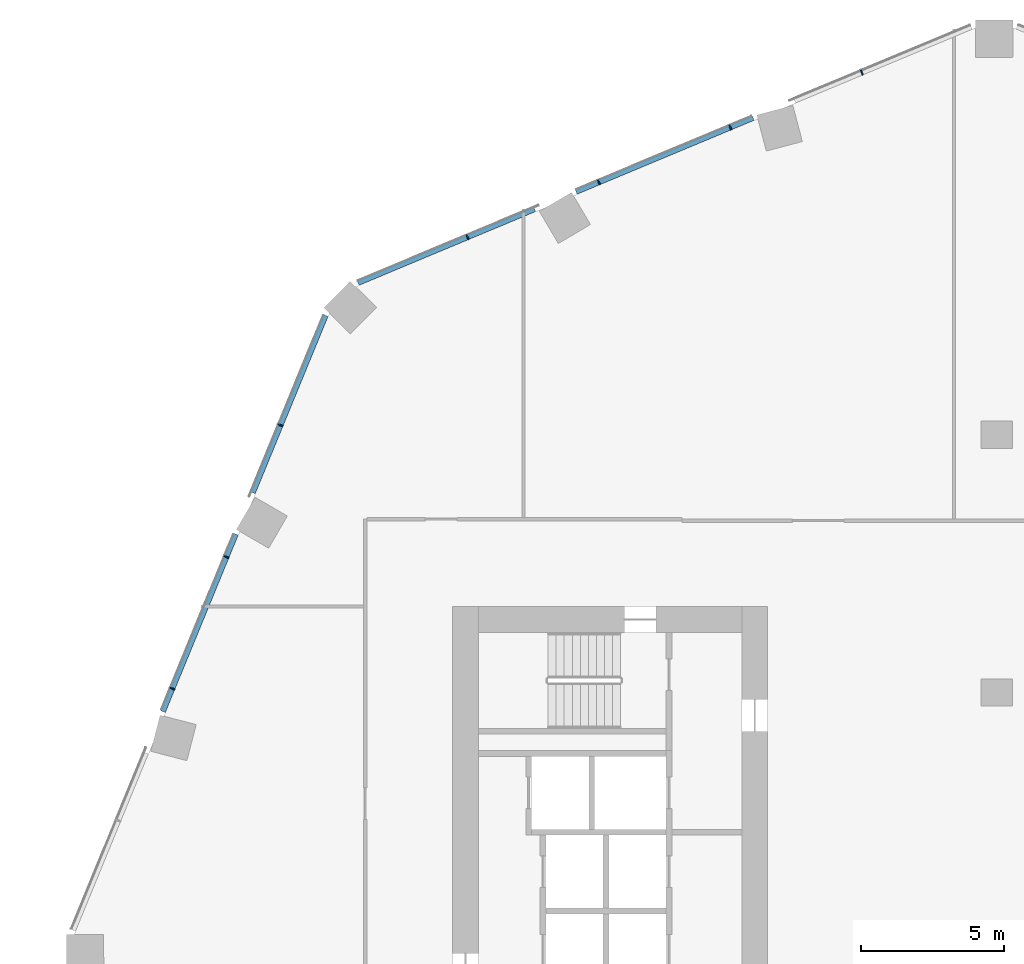
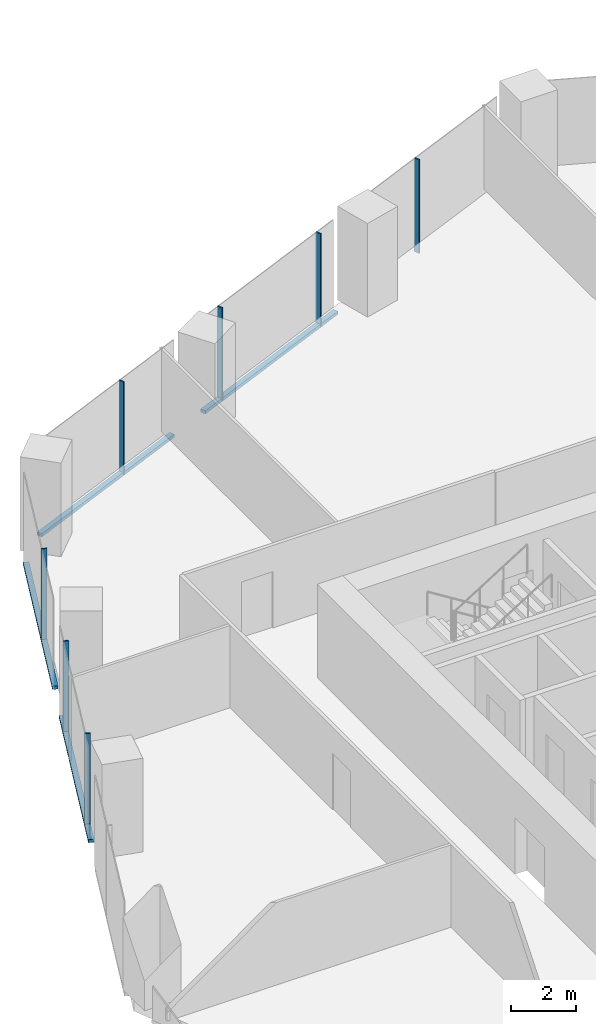
# One storey, part 12 of 34: 11 members, 2 elements without a shape of their own.
"""IFC4 building model written with IfcOpenShell, lengths in metres."""

from ifc_helpers import new_model, si_unit, direction, frame, origin, origin_2d, place, context, subcontext, project, spatial, rectangle, extrude, material, material_profile, profile_set, type_object, element, aggregate, save


model = new_model("IFC4")

# Units and contexts
model_context = context("Model", 3, precision=1e-05, world=origin(), true_north=direction((0.0, 1.0)))
body_context = subcontext(model_context, "Body", "Model", "MODEL_VIEW")
ifc_project = project(units=[si_unit("LENGTHUNIT", "METRE"), si_unit("AREAUNIT", "SQUARE_METRE"), si_unit("VOLUMEUNIT", "CUBIC_METRE"), si_unit("PLANEANGLEUNIT", "RADIAN"), si_unit("MASSUNIT", "GRAM", prefix="KILO")], contexts=[model_context])

# Site, building, storey
site_placement = place(None, origin())
site = spatial("IfcSite", under=ifc_project, at=site_placement, CompositionType="ELEMENT")
building_placement = place(site_placement, origin())
building = spatial("IfcBuilding", under=site, at=building_placement, Name="Orlundy Tower", CompositionType="ELEMENT")
storey_placement = place(building_placement, frame((0.0, 0.0, 112.699951171875)))
storey = spatial("IfcBuildingStorey", under=building, at=storey_placement, Name="L28", CompositionType="ELEMENT", Elevation=112.699951171875)

# Curtain wall, members
ifc_material_1 = material(Name="Aluminium bronze anodised", Category="aluminium")
curtain_wall_type = type_object("IfcCurtainWallType", Name="CW1 wall", PredefinedType="NOTDEFINED", material=ifc_material_1)
curtain_wall_1_placement = place(storey_placement, origin())
curtain_wall_1 = element("IfcCurtainWall", 1, at=curtain_wall_1_placement, inside=storey, type_object=curtain_wall_type, Name="CW1 run 014", PredefinedType="NOTDEFINED")
ifc_material_2 = material(Name="Aluminium bronze anodised", Category="aluminium")
ifc_material_profile_1 = material_profile(ifc_material_2, rectangle(XDim=0.179931640625, YDim=0.050048828125, at=origin_2d()), Name="CW1 mullion 50x180")
ifc_profile_set_1 = profile_set([ifc_material_profile_1], Name="Aluminium bronze anodised")
member_type_1 = type_object("IfcMemberType", Name="CW1 mullion 50x180", PredefinedType="MULLION", material=ifc_profile_set_1)
member_1_placement = place(storey_placement, frame((-28.777587890625, 9.135498046875, -0.39990234375), z_axis=(0.0, 0.0, 1.0), x_axis=(-0.924984462277, 0.380004927003, 0.0)))
member_1 = element("IfcMember", 2, at=member_1_placement, type_object=member_type_1, Name="CW1 mullion 36", PredefinedType="MULLION", context=body_context, shape_type="SweptSolid", body=[
    extrude(rectangle(XDim=0.179931640625, YDim=0.050048828125, at=origin_2d()), origin(), (0.0, 0.0, 1.0), 3.5),
])
member_2_placement = place(storey_placement, frame((-26.888916015625, 13.73291015625, -0.39990234375), z_axis=(0.0, 0.0, 1.0), x_axis=(-0.924984462277, 0.380004927003, 0.0)))
member_2 = element("IfcMember", 3, at=member_2_placement, type_object=member_type_1, Name="CW1 mullion 37", PredefinedType="MULLION", context=body_context, shape_type="SweptSolid", body=[
    extrude(rectangle(XDim=0.179931640625, YDim=0.050048828125, at=origin_2d()), origin(), (0.0, 0.0, 1.0), 3.5),
])
member_3_placement = place(storey_placement, frame((-25.0, 18.33056640625, -0.39990234375), z_axis=(0.0, 0.0, 1.0), x_axis=(-0.924984462277, 0.380004927003, 0.0)))
member_3 = element("IfcMember", 4, at=member_3_placement, type_object=member_type_1, Name="CW1 mullion 38", PredefinedType="MULLION", context=body_context, shape_type="SweptSolid", body=[
    extrude(rectangle(XDim=0.179931640625, YDim=0.050048828125, at=origin_2d()), origin(), (0.0, 0.0, 1.0), 3.5),
])

curtain_wall_2_placement = place(storey_placement, origin())
curtain_wall_2 = element("IfcCurtainWall", 5, at=curtain_wall_2_placement, inside=storey, type_object=curtain_wall_type, Name="CW1 run 015", PredefinedType="NOTDEFINED")
member_4_placement = place(storey_placement, frame((-18.475830078125, 24.892578125, -0.39990234375), z_axis=(0.0, 0.0, 1.0), x_axis=(-0.385375204433, 0.922759964351, 0.0)))
member_4 = element("IfcMember", 6, at=member_4_placement, type_object=member_type_1, Name="CW1 mullion 40", PredefinedType="MULLION", context=body_context, shape_type="SweptSolid", body=[
    extrude(rectangle(XDim=0.179931640625, YDim=0.050048828125, at=origin_2d()), origin(), (0.0, 0.0, 1.0), 3.5),
])
member_5_placement = place(storey_placement, frame((-13.88916015625, 26.808349609375, -0.39990234375), z_axis=(0.0, 0.0, 1.0), x_axis=(-0.385375204433, 0.922759964351, 0.0)))
member_5 = element("IfcMember", 7, at=member_5_placement, type_object=member_type_1, Name="CW1 mullion 41", PredefinedType="MULLION", context=body_context, shape_type="SweptSolid", body=[
    extrude(rectangle(XDim=0.179931640625, YDim=0.050048828125, at=origin_2d()), origin(), (0.0, 0.0, 1.0), 3.5),
])
member_6_placement = place(storey_placement, frame((-9.30224609375, 28.723876953125, -0.39990234375), z_axis=(0.0, 0.0, 1.0), x_axis=(-0.385375204433, 0.922759964351, 0.0)))
member_6 = element("IfcMember", 8, at=member_6_placement, type_object=member_type_1, Name="CW1 mullion 42", PredefinedType="MULLION", context=body_context, shape_type="SweptSolid", body=[
    extrude(rectangle(XDim=0.179931640625, YDim=0.050048828125, at=origin_2d()), origin(), (0.0, 0.0, 1.0), 3.5),
])
member_7_placement = place(storey_placement, frame((-4.715576171875, 30.639404296875, -0.39990234375), z_axis=(0.0, 0.0, 1.0), x_axis=(-0.385375204433, 0.922759964351, 0.0)))
member_7 = element("IfcMember", 9, at=member_7_placement, type_object=member_type_1, Name="CW1 mullion 43", PredefinedType="MULLION", context=body_context, shape_type="SweptSolid", body=[
    extrude(rectangle(XDim=0.179931640625, YDim=0.050048828125, at=origin_2d()), origin(), (0.0, 0.0, 1.0), 3.5),
])

# Member
ifc_material_3 = material(Name="Aluminium bronze anodised", Category="aluminium")
ifc_material_profile_2 = material_profile(ifc_material_3, rectangle(XDim=0.179931640625, YDim=0.1201171875, at=origin_2d()), Name="CW1 transom 180x120")
ifc_profile_set_2 = profile_set([ifc_material_profile_2], Name="Aluminium bronze anodised")
member_type_2 = type_object("IfcMemberType", Name="CW1 transom 180x120", PredefinedType="USERDEFINED", material=ifc_profile_set_2)
member_8_placement = place(storey_placement, frame((-29.105224609375, 8.338134765625, -0.33984375), z_axis=(0.380001321927, 0.924985943317, 0.0), x_axis=(-0.924985943317, 0.380001321927, 0.0)))
member_8 = element("IfcMember", 10, at=member_8_placement, type_object=member_type_2, Name="CW1 transom", ObjectType="TRANSOM", PredefinedType="USERDEFINED", context=body_context, shape_type="SweptSolid", body=[
    extrude(rectangle(XDim=0.179931640625, YDim=0.1201171875, at=origin_2d()), origin(), (0.0, 0.0, 1.0), 6.694580078125),
])

member_9_placement = place(storey_placement, frame((-25.9677734375, 15.974853515625, -0.33984375), z_axis=(0.380002508853, 0.924985455705, 0.0), x_axis=(-0.924985455705, 0.380002508853, 0.0)))
member_9 = element("IfcMember", 11, at=member_9_placement, type_object=member_type_2, Name="CW1 transom", ObjectType="TRANSOM", PredefinedType="USERDEFINED", context=body_context, shape_type="SweptSolid", body=[
    extrude(rectangle(XDim=0.179931640625, YDim=0.1201171875, at=origin_2d()), origin(), (0.0, 0.0, 1.0), 6.688720703125),
])

aggregate(curtain_wall_1, [member_1, member_2, member_3, member_8, member_9])

member_10_placement = place(storey_placement, frame((-22.2978515625, 23.29638671875, -0.33984375), z_axis=(0.922756794444, 0.385382794514, 0.0), x_axis=(-0.385382794514, 0.922756794444, 0.0)))
member_10 = element("IfcMember", 12, at=member_10_placement, type_object=member_type_2, Name="CW1 transom", ObjectType="TRANSOM", PredefinedType="USERDEFINED", context=body_context, shape_type="SweptSolid", body=[
    extrude(rectangle(XDim=0.179931640625, YDim=0.1201171875, at=origin_2d()), origin(), (0.0, 0.0, 1.0), 6.685302734375),
])

member_11_placement = place(storey_placement, frame((-14.6845703125, 26.47607421875, -0.33984375), z_axis=(0.922764802462, 0.385363619635, 0.0), x_axis=(-0.385363619635, 0.922764802462, 0.0)))
member_11 = element("IfcMember", 13, at=member_11_placement, type_object=member_type_2, Name="CW1 transom", ObjectType="TRANSOM", PredefinedType="USERDEFINED", context=body_context, shape_type="SweptSolid", body=[
    extrude(rectangle(XDim=0.179931640625, YDim=0.1201171875, at=origin_2d()), origin(), (0.0, 0.0, 1.0), 6.694580078125),
])

aggregate(curtain_wall_2, [member_4, member_5, member_6, member_7, member_10, member_11])

save(model, "model.ifc")
